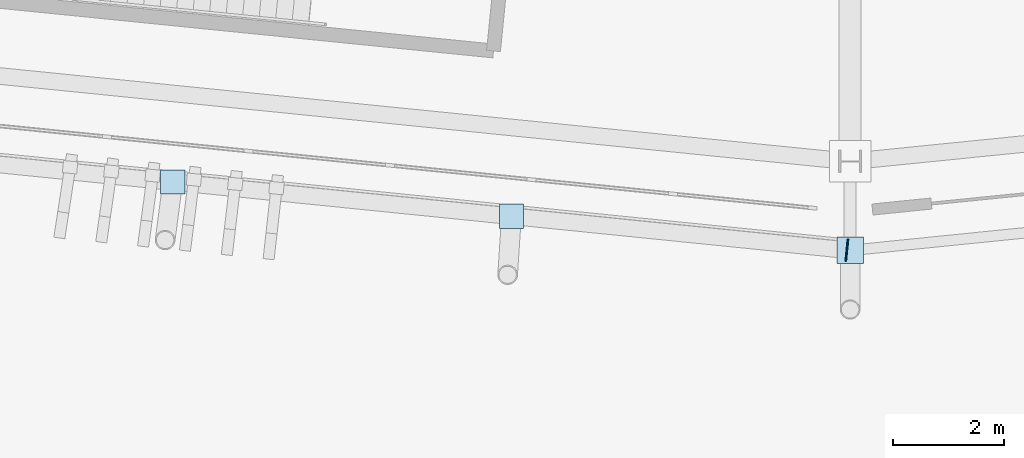
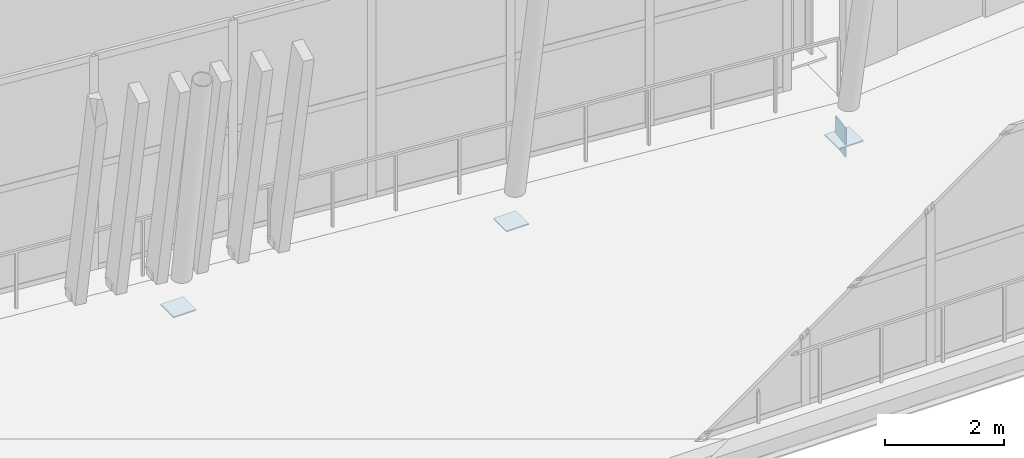
# One storey, part 106 of 178: 4 plates.
"""IFC4 building model written with IfcOpenShell, lengths in metres."""

from ifc_helpers import new_model, si_unit, direction, frame, origin, origin_2d, place, context, subcontext, project, spatial, rectangle, extrude, material, layer, layer_set, type_object, element, save


model = new_model("IFC4")

# Units and contexts
model_context = context("Model", 3, precision=1e-05, world=origin(), true_north=direction((0.0, 1.0)))
body_context = subcontext(model_context, "Body", "Model", "MODEL_VIEW")
ifc_project = project(units=[si_unit("LENGTHUNIT", "METRE"), si_unit("AREAUNIT", "SQUARE_METRE"), si_unit("VOLUMEUNIT", "CUBIC_METRE"), si_unit("PLANEANGLEUNIT", "RADIAN"), si_unit("MASSUNIT", "GRAM", prefix="KILO")], contexts=[model_context])

# Site, building, storey
site_placement = place(None, origin())
site = spatial("IfcSite", under=ifc_project, at=site_placement, CompositionType="ELEMENT")
building_placement = place(site_placement, origin())
building = spatial("IfcBuilding", under=site, at=building_placement, Name="Zlatoyarsky Gate Stadium", CompositionType="ELEMENT")
storey_placement = place(building_placement, frame((0.0, 0.0, 5.39990234375)))
storey = spatial("IfcBuildingStorey", under=building, at=storey_placement, Name="L01", CompositionType="ELEMENT", Elevation=5.39990234375)

# Plates
ifc_material = material(Name="Steel S355", Category="steel")
ifc_layer = layer(ifc_material, 0.02392578125)
ifc_layer_set = layer_set([ifc_layer], Name="Steel S355")
plate_type = type_object("IfcPlateType", Name="STEEL HOLLOW CHORD SPLICE SHEET 24", PredefinedType="SHEET", material=ifc_layer_set)
plate_1_placement = place(storey_placement, frame((110.940185546875, 7.3974609375, -1.010009765625), z_axis=(0.0, 0.0, 1.0), x_axis=(0.994934278996, -0.100527511058, 0.0)))
element("IfcPlate", 1, at=plate_1_placement, inside=storey, type_object=plate_type, Name="Hollow end cap ND-SP1 CAP-L01-SPD-17 B", PredefinedType="SHEET", context=body_context, shape_type="SweptSolid", body=[
    extrude(rectangle(XDim=0.02392578125, YDim=0.39990234375, at=origin_2d()), origin(), (0.0, 0.0, 1.0), 0.60009765625),
])
plate_2_placement = place(storey_placement, frame((111.0, 7.3916015625, -0.77197265625), z_axis=(0.0, 0.0, 1.0), x_axis=(1.0, 0.0, 0.0)))
element("IfcPlate", 2, at=plate_2_placement, inside=storey, type_object=plate_type, Name="Node closure plate ND-SP1 NCAP-L01-RSTR-18", PredefinedType="SHEET", context=body_context, shape_type="SweptSolid", body=[
    extrude(rectangle(XDim=0.47998046875, YDim=0.47998046875, at=origin_2d()), origin(), (0.0, 0.0, 1.0), 0.02392578125),
])
for number, where, z_axis, x_axis, name in (
    (3, (98.756591796875, 8.628662109375, -0.721923828125), (0.0, 0.0, 1.0), (1.0, 0.0, 0.0), "Node closure plate ND-SP1 NCAP-RIB-17-2-0B"),
    (4, (104.87841796875, 8.010009765625, -0.721923828125), (0.0, 0.0, 1.0), (1.0, 0.0, 0.0), "Node closure plate ND-SP1 NCAP-RIB-17-3-0B"),
):
    element("IfcPlate", number, at=place(storey_placement, frame(where, z_axis=z_axis, x_axis=x_axis)), inside=storey, type_object=plate_type, Name=name, PredefinedType="SHEET", context=body_context, shape_type="SweptSolid", body=[
        extrude(rectangle(XDim=0.43994140625, YDim=0.43994140625, at=origin_2d()), origin(), (0.0, 0.0, 1.0), 0.02392578125),
    ])

save(model, "model.ifc")
